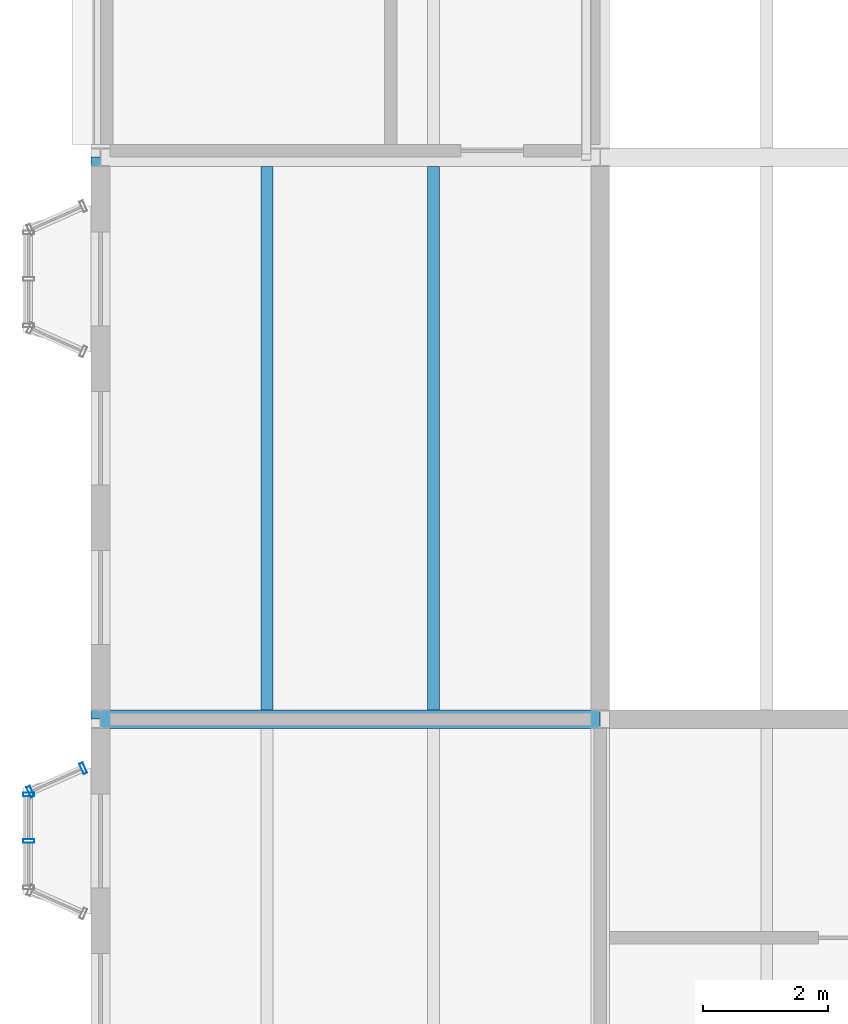
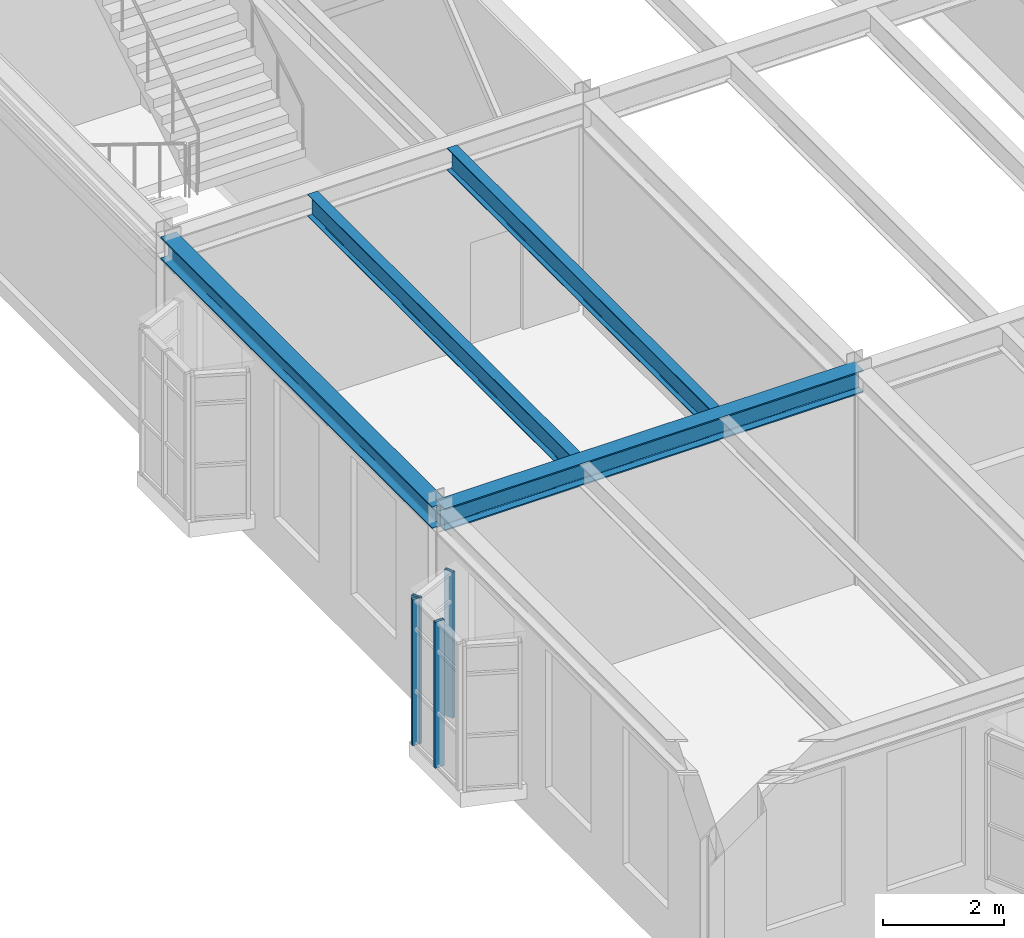
# One storey, part 18 of 153: 4 beams, 4 members, 2 elements without a shape of their own.
"""IFC4 building model written with IfcOpenShell, lengths in metres."""

from ifc_helpers import new_model, si_unit, direction, frame, origin, origin_2d, place, context, subcontext, project, spatial, hollow_rectangle, i_section, extrude, material, material_profile, profile_set, type_object, element, aggregate, save


model = new_model("IFC4")

# Units and contexts
model_context = context("Model", 3, precision=1e-05, world=origin(), true_north=direction((0.0, 1.0)))
body_context = subcontext(model_context, "Body", "Model", "MODEL_VIEW")
ifc_project = project(units=[si_unit("LENGTHUNIT", "METRE"), si_unit("AREAUNIT", "SQUARE_METRE"), si_unit("VOLUMEUNIT", "CUBIC_METRE"), si_unit("PLANEANGLEUNIT", "RADIAN"), si_unit("MASSUNIT", "GRAM", prefix="KILO")], contexts=[model_context])

# Site, building, storey
site_placement = place(None, origin())
site = spatial("IfcSite", under=ifc_project, at=site_placement, CompositionType="ELEMENT")
building_placement = place(site_placement, origin())
building = spatial("IfcBuilding", under=site, at=building_placement, Name="Kallimachos Central Library", CompositionType="ELEMENT")
storey_placement = place(building_placement, frame((0.0, 0.0, 5.39990234375)))
storey = spatial("IfcBuildingStorey", under=building, at=storey_placement, Name="L01", CompositionType="ELEMENT", Elevation=5.39990234375)

# Curtain wall, members
ifc_material_1 = material(Name="Laminated glass in anodised aluminium", Category="aluminium")
curtain_wall_type = type_object("IfcCurtainWallType", Name="Foyer curtain wall", PredefinedType="NOTDEFINED", material=ifc_material_1)
curtain_wall_1_placement = place(storey_placement, origin())
curtain_wall_1 = element("IfcCurtainWall", 1, at=curtain_wall_1_placement, inside=storey, type_object=curtain_wall_type, Name="Tribune bay front", PredefinedType="NOTDEFINED")
ifc_material_2 = material(Name="Anodised aluminium", Category="aluminium")
ifc_material_profile_1 = material_profile(ifc_material_2, hollow_rectangle(XDim=0.06005859375, YDim=0.179931640625, WallThickness=0.00390625, at=origin_2d()), Name="ALU MULLION 60x180")
ifc_profile_set_1 = profile_set([ifc_material_profile_1], Name="Anodised aluminium")
member_type = type_object("IfcMemberType", Name="ALU MULLION 60x180 mullion", PredefinedType="MULLION", material=ifc_profile_set_1)
member_1_placement = place(storey_placement, frame((4.85009765625, 16.050048828125, 0.60009765625), z_axis=(0.0, 0.0, 1.0), x_axis=(0.0, 1.0, 0.0)))
member_1 = element("IfcMember", 2, at=member_1_placement, type_object=member_type, Name="CW mullion 2", PredefinedType="MULLION", context=body_context, shape_type="SweptSolid", body=[
    extrude(hollow_rectangle(XDim=0.06005859375, YDim=0.179931640625, WallThickness=0.00390625, at=origin_2d()), origin(), (0.0, 0.0, 1.0), 2.949951171875),
])
member_2_placement = place(storey_placement, frame((4.85009765625, 16.794921875, 0.60009765625), z_axis=(0.0, 0.0, 1.0), x_axis=(0.0, 1.0, 0.0)))
member_2 = element("IfcMember", 3, at=member_2_placement, type_object=member_type, Name="CW mullion 3", PredefinedType="MULLION", context=body_context, shape_type="SweptSolid", body=[
    extrude(hollow_rectangle(XDim=0.06005859375, YDim=0.179931640625, WallThickness=0.00390625, at=origin_2d()), origin(), (0.0, 0.0, 1.0), 2.949951171875),
])
aggregate(curtain_wall_1, [member_1, member_2])

curtain_wall_2_placement = place(storey_placement, origin())
curtain_wall_2 = element("IfcCurtainWall", 4, at=curtain_wall_2_placement, inside=storey, type_object=curtain_wall_type, Name="Tribune bay return east", PredefinedType="NOTDEFINED")
member_3_placement = place(storey_placement, frame((4.87744140625, 16.837158203125, 0.60009765625), z_axis=(0.0, 0.0, 1.0), x_axis=(0.913811548617, 0.40613846606, 0.0)))
member_3 = element("IfcMember", 5, at=member_3_placement, type_object=member_type, Name="CW mullion 1", PredefinedType="MULLION", context=body_context, shape_type="SweptSolid", body=[
    extrude(hollow_rectangle(XDim=0.06005859375, YDim=0.179931640625, WallThickness=0.00390625, at=origin_2d()), origin(), (0.0, 0.0, 1.0), 2.949951171875),
])
member_4_placement = place(storey_placement, frame((5.72265625, 17.212890625, 0.60009765625), z_axis=(0.0, 0.0, 1.0), x_axis=(0.913811548617, 0.40613846606, 0.0)))
member_4 = element("IfcMember", 6, at=member_4_placement, type_object=member_type, Name="CW mullion 2", PredefinedType="MULLION", context=body_context, shape_type="SweptSolid", body=[
    extrude(hollow_rectangle(XDim=0.06005859375, YDim=0.179931640625, WallThickness=0.00390625, at=origin_2d()), origin(), (0.0, 0.0, 1.0), 2.949951171875),
])
aggregate(curtain_wall_2, [member_3, member_4])

# Beams
ifc_material_3 = material(Name="Steel S355J2", Category="steel")
ifc_material_profile_2 = material_profile(ifc_material_3, i_section(OverallWidth=0.300048828125, OverallDepth=0.449951171875, WebThickness=0.013916015625, FlangeThickness=0.02587890625, FilletRadius=0.027099609375, at=origin_2d()), Name="HEB 450")
ifc_profile_set_2 = profile_set([ifc_material_profile_2], Name="Steel S355J2")
beam_type_1 = type_object("IfcBeamType", Name="HEB 450 beam", PredefinedType="BEAM", material=ifc_profile_set_2)
beam_1_placement = place(storey_placement, frame((6.0, 18.0, 4.0751953125), z_axis=(0.0, 1.0, 0.0), x_axis=(-1.0, 0.0, 0.0)))
element("IfcBeam", 7, at=beam_1_placement, inside=storey, type_object=beam_type_1, Name="V6-BEM-L01-003", PredefinedType="BEAM", context=body_context, shape_type="SweptSolid", body=[
    extrude(i_section(OverallWidth=0.300048828125, OverallDepth=0.449951171875, WebThickness=0.013916015625, FlangeThickness=0.02587890625, FilletRadius=0.027099609375, at=origin_2d()), origin(), (0.0, 0.0, 1.0), 9.0),
])
beam_2_placement = place(storey_placement, frame((6.0, 18.0, 4.0751953125), z_axis=(1.0, 0.0, 0.0), x_axis=(0.0, 1.0, 0.0)))
element("IfcBeam", 8, at=beam_2_placement, inside=storey, type_object=beam_type_1, Name="V6-BEM-L01-004", PredefinedType="BEAM", context=body_context, shape_type="SweptSolid", body=[
    extrude(i_section(OverallWidth=0.300048828125, OverallDepth=0.449951171875, WebThickness=0.013916015625, FlangeThickness=0.02587890625, FilletRadius=0.027099609375, at=origin_2d()), origin(), (0.0, 0.0, 1.0), 8.0),
])
ifc_material_4 = material(Name="Steel S355J2", Category="steel")
ifc_material_profile_3 = material_profile(ifc_material_4, i_section(OverallWidth=0.18994140625, OverallDepth=0.449951171875, WebThickness=0.009521484375, FlangeThickness=0.0146484375, FilletRadius=0.02099609375, at=origin_2d()), Name="IPE 450")
ifc_profile_set_3 = profile_set([ifc_material_profile_3], Name="Steel S355J2")
beam_type_2 = type_object("IfcBeamType", Name="IPE 450 beam", PredefinedType="BEAM", material=ifc_profile_set_3)
for number, where, z_axis, x_axis, name in (
    (9, (8.666748046875, 18.14990234375, 4.0751953125), (0.0, 1.0, 0.0), (-1.0, 0.0, 0.0), "V6-BEM-L01-025"),
    (10, (11.333251953125, 18.14990234375, 4.0751953125), (0.0, 1.0, 0.0), (-1.0, 0.0, 0.0), "V6-BEM-L01-026"),
):
    element("IfcBeam", number, at=place(storey_placement, frame(where, z_axis=z_axis, x_axis=x_axis)), inside=storey, type_object=beam_type_2, Name=name, PredefinedType="BEAM", context=body_context, shape_type="SweptSolid", body=[
        extrude(i_section(OverallWidth=0.18994140625, OverallDepth=0.449951171875, WebThickness=0.009521484375, FlangeThickness=0.0146484375, FilletRadius=0.02099609375, at=origin_2d()), origin(), (0.0, 0.0, 1.0), 8.7001953125),
    ])

save(model, "model.ifc")
